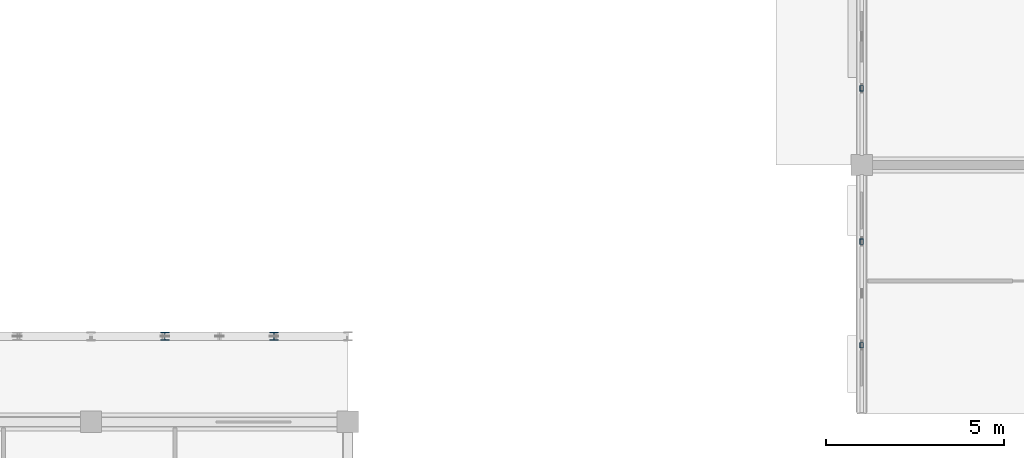
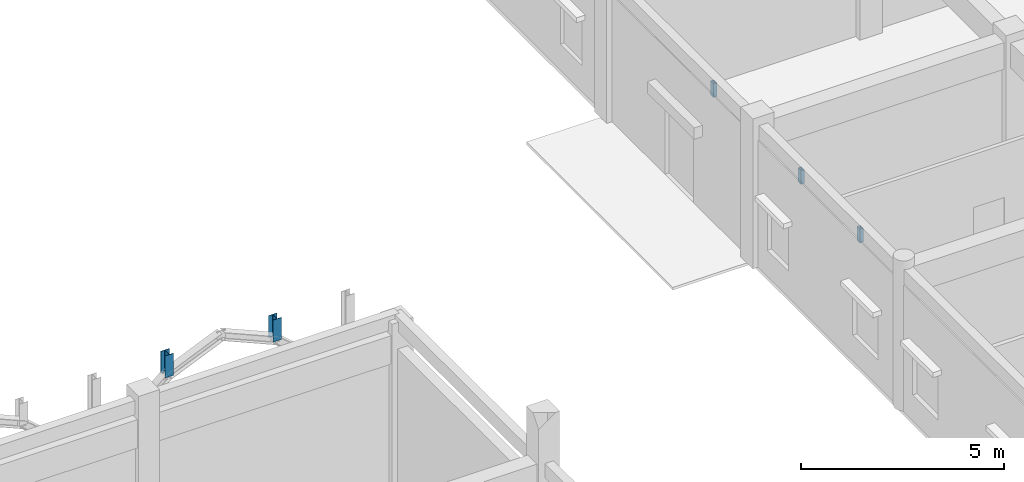
# One storey, part 51 of 138: 5 members.
"""IFC4 building model written with IfcOpenShell, lengths in metres."""

from ifc_helpers import new_model, si_unit, direction, frame, origin, origin_2d, place, context, subcontext, project, spatial, hollow_rectangle, i_section, extrude, material, material_profile, profile_set, type_object, element, save


model = new_model("IFC4")

# Units and contexts
model_context = context("Model", 3, precision=1e-05, world=origin(), true_north=direction((0.0, 1.0)))
body_context = subcontext(model_context, "Body", "Model", "MODEL_VIEW")
ifc_project = project(units=[si_unit("LENGTHUNIT", "METRE"), si_unit("AREAUNIT", "SQUARE_METRE"), si_unit("VOLUMEUNIT", "CUBIC_METRE"), si_unit("PLANEANGLEUNIT", "RADIAN"), si_unit("MASSUNIT", "GRAM", prefix="KILO"), si_unit("THERMODYNAMICTEMPERATUREUNIT", "KELVIN"), si_unit("POWERUNIT", "WATT")], contexts=[model_context])

# Site, building, storey
site_placement = place(None, origin())
site = spatial("IfcSite", under=ifc_project, at=site_placement, CompositionType="ELEMENT")
building_placement = place(site_placement, origin())
building = spatial("IfcBuilding", under=site, at=building_placement, Name="Tavuni Mirador Residences", CompositionType="ELEMENT")
storey_placement = place(building_placement, origin())
storey = spatial("IfcBuildingStorey", under=building, at=storey_placement, Name="L00", CompositionType="ELEMENT", Elevation=0.0)

# Members
ifc_material = material(Name="Structural steel S355", Category="steel")
ifc_material_profile_1 = material_profile(ifc_material, hollow_rectangle(XDim=0.10009765625, YDim=0.14990234375, WallThickness=0.008056640625, at=origin_2d()), Name="RHS 150x100x8.0", Category="steel")
ifc_profile_set_1 = profile_set([ifc_material_profile_1], Name="Structural steel S355")
member_type_1 = type_object("IfcMemberType", Name="MT-BR-RHS150", PredefinedType="BRACE", material=ifc_profile_set_1)
for number, where, z_axis, x_axis, name in (
    (1, (90.0, 102.947998046875, 3.615478515625), (0.0, 0.0, 1.0), (1.0, 0.0, 0.0), "ARCH-BLKD-W-02-V1"),
    (2, (90.0, 105.85205078125, 3.615478515625), (0.0, 0.0, 1.0), (1.0, 0.0, 0.0), "ARCH-BLKD-W-02-V2"),
    (3, (90.0, 110.14794921875, 3.615478515625), (0.0, 0.0, 1.0), (1.0, 0.0, 0.0), "ARCH-BLKD-W-03-V1"),
):
    element("IfcMember", number, at=place(storey_placement, frame(where, z_axis=z_axis, x_axis=x_axis)), inside=storey, type_object=member_type_1, Name=name, PredefinedType="BRACE", context=body_context, shape_type="SweptSolid", body=[
        extrude(hollow_rectangle(XDim=0.10009765625, YDim=0.14990234375, WallThickness=0.008056640625, at=origin_2d()), origin(), (0.0, 0.0, 1.0), 0.41455078125),
    ])
ifc_material_profile_2 = material_profile(ifc_material, i_section(OverallWidth=0.239990234375, OverallDepth=0.22998046875, WebThickness=0.007568359375, FlangeThickness=0.011962890625, FilletRadius=0.02099609375, at=origin_2d()), Name="HEA 240", Category="steel")
ifc_profile_set_2 = profile_set([ifc_material_profile_2], Name="Structural steel S355")
member_type_2 = type_object("IfcMemberType", Name="MT-CH-HEA240", PredefinedType="CHORD", material=ifc_profile_set_2)
for number, where, z_axis, x_axis, name in (
    (4, (70.46875, 103.199951171875, 6.301513671875), (0.0, 0.0, 1.0), (1.0, 0.0, 0.0), "ARCH-HALL-N-04-V1"),
    (5, (73.53125, 103.199951171875, 6.301513671875), (0.0, 0.0, 1.0), (1.0, 0.0, 0.0), "ARCH-HALL-N-04-V2"),
):
    element("IfcMember", number, at=place(storey_placement, frame(where, z_axis=z_axis, x_axis=x_axis)), inside=storey, type_object=member_type_2, Name=name, PredefinedType="CHORD", context=body_context, shape_type="SweptSolid", body=[
        extrude(i_section(OverallWidth=0.239990234375, OverallDepth=0.22998046875, WebThickness=0.007568359375, FlangeThickness=0.011962890625, FilletRadius=0.02099609375, at=origin_2d()), origin(), (0.0, 0.0, 1.0), 0.661865234375),
    ])

save(model, "model.ifc")
